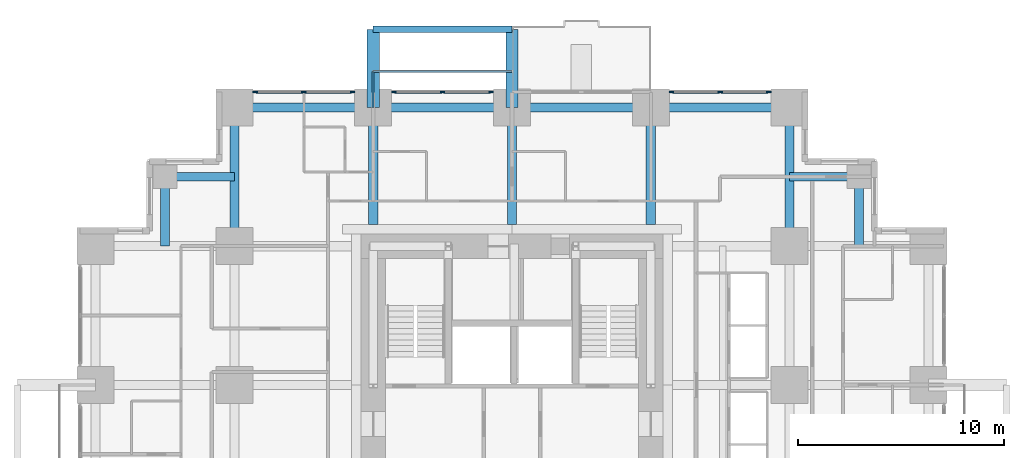
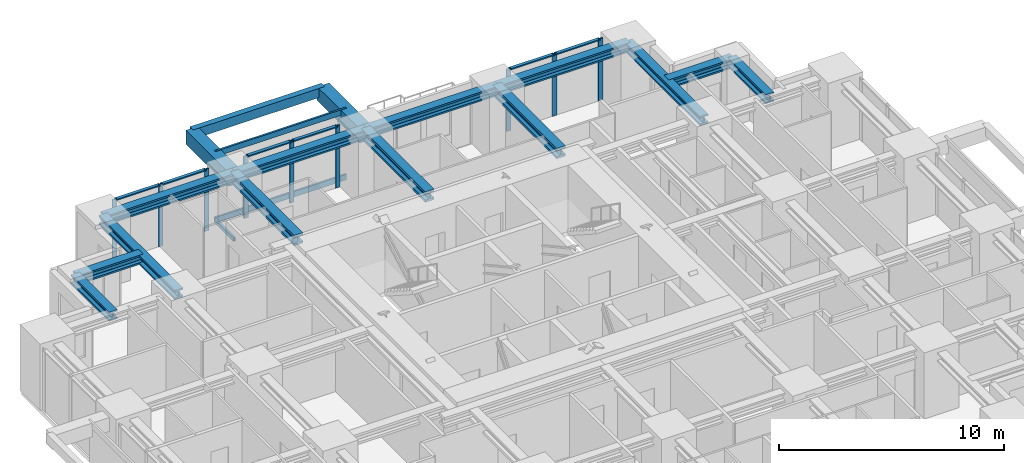
# One storey, part 5 of 12: 18 members, 16 beams, 3 elements without a shape of their own.
"""IFC4 building model written with IfcOpenShell, lengths in metres."""

from ifc_helpers import new_model, si_unit, direction, frame, origin, origin_2d, place, context, subcontext, project, spatial, rectangle, hollow_rectangle, i_section, extrude, material, material_profile, profile_set, type_object, element, aggregate, save


model = new_model("IFC4")

# Units and contexts
model_context = context("Model", 3, precision=1e-05, world=origin(), true_north=direction((0.0, 1.0)))
body_context = subcontext(model_context, "Body", "Model", "MODEL_VIEW")
ifc_project = project(units=[si_unit("LENGTHUNIT", "METRE"), si_unit("AREAUNIT", "SQUARE_METRE"), si_unit("VOLUMEUNIT", "CUBIC_METRE"), si_unit("PLANEANGLEUNIT", "RADIAN"), si_unit("MASSUNIT", "GRAM", prefix="KILO")], contexts=[model_context])

# Site, building, storey
site_placement = place(None, origin())
site = spatial("IfcSite", under=ifc_project, at=site_placement, CompositionType="ELEMENT")
building_placement = place(site_placement, origin())
building = spatial("IfcBuilding", under=site, at=building_placement, Name="Nyansa Garden Tower", CompositionType="ELEMENT")
storey_placement = place(building_placement, frame((0.0, 0.0, 90.89990234375)))
storey = spatial("IfcBuildingStorey", under=building, at=storey_placement, Name="L24", CompositionType="ELEMENT", Elevation=90.89990234375)

# Beams
ifc_material_1 = material(Name="Concrete C70/85", Category="concrete")
ifc_material_profile_1 = material_profile(ifc_material_1, rectangle(XDim=0.60009765625, YDim=0.75, at=origin_2d()), Name="RC 600x750")
ifc_profile_set_1 = profile_set([ifc_material_profile_1], Name="Concrete C70/85")
beam_type_1 = type_object("IfcBeamType", Name="Balcony cantilever beam CB1 RC 600x750", PredefinedType="BEAM", material=ifc_profile_set_1)
for number, where, z_axis, x_axis, name in (
    (1, (13.5, 33.75, 2.985107421875), (0.0, 1.0, 0.0), (-1.0, 0.0, 0.0), "Balcony cantilever beam L25"),
    (2, (20.25, 33.75, 2.985107421875), (0.0, 1.0, 0.0), (-1.0, 0.0, 0.0), "Balcony cantilever beam L25"),
):
    element("IfcBeam", number, at=place(storey_placement, frame(where, z_axis=z_axis, x_axis=x_axis)), inside=storey, type_object=beam_type_1, Name=name, PredefinedType="BEAM", context=body_context, shape_type="SweptSolid", body=[
        extrude(rectangle(XDim=0.60009765625, YDim=0.75, at=origin_2d()), origin(), (0.0, 0.0, 1.0), 3.800048828125),
    ])
ifc_material_2 = material(Name="Concrete C70/85", Category="concrete")
ifc_material_profile_2 = material_profile(ifc_material_2, rectangle(XDim=0.300048828125, YDim=0.5, at=origin_2d()), Name="RC 300x500")
ifc_profile_set_2 = profile_set([ifc_material_profile_2], Name="Concrete C70/85")
beam_type_2 = type_object("IfcBeamType", Name="Balcony edge beam BE1 RC 300x500", PredefinedType="BEAM", material=ifc_profile_set_2)
beam_placement = place(storey_placement, frame((13.5, 37.550048828125, 3.110107421875), z_axis=(1.0, 0.0, 0.0), x_axis=(0.0, 1.0, 0.0)))
element("IfcBeam", 3, at=beam_placement, inside=storey, type_object=beam_type_2, Name="Balcony edge beam L25", PredefinedType="BEAM", context=body_context, shape_type="SweptSolid", body=[
    extrude(rectangle(XDim=0.300048828125, YDim=0.5, at=origin_2d()), origin(), (0.0, 0.0, 1.0), 6.75),
])

# Curtain wall, members
ifc_material_3 = material(Name="Black anodised aluminium, dark tinted double glazing", Category="aluminium")
curtain_wall_type = type_object("IfcCurtainWallType", Name="Inner skin curtain wall ISW-B", PredefinedType="USERDEFINED", material=ifc_material_3)
curtain_wall_1_placement = place(storey_placement, origin())
curtain_wall_1 = element("IfcCurtainWall", 4, at=curtain_wall_1_placement, inside=storey, type_object=curtain_wall_type, Name="Inner skin curtain wall L24 N", ObjectType="UNITISED CURTAIN WALL", PredefinedType="USERDEFINED")
ifc_material_4 = material(Name="Black anodised aluminium", Category="aluminium")
ifc_material_profile_3 = material_profile(ifc_material_4, rectangle(XDim=0.06494140625, YDim=0.22509765625, at=origin_2d()), Name="Mullion 225x65")
ifc_profile_set_3 = profile_set([ifc_material_profile_3], Name="Black anodised aluminium")
member_type_1 = type_object("IfcMemberType", Name="Mullion ISW-B 225x65", PredefinedType="MULLION", material=ifc_profile_set_3)
member_1_placement = place(storey_placement, frame((19.237548828125, 34.5, 0.0), z_axis=(0.0, 0.0, 1.0), x_axis=(0.0, -1.0, 0.0)))
member_1 = element("IfcMember", 5, at=member_1_placement, type_object=member_type_1, Name="ISW-B mullion 1", PredefinedType="MULLION", context=body_context, shape_type="SweptSolid", body=[
    extrude(rectangle(XDim=0.06494140625, YDim=0.22509765625, at=origin_2d()), origin(), (0.0, 0.0, 1.0), 3.375),
])
member_2_placement = place(storey_placement, frame((16.875, 34.5, 0.0), z_axis=(0.0, 0.0, 1.0), x_axis=(0.0, -1.0, 0.0)))
member_2 = element("IfcMember", 6, at=member_2_placement, type_object=member_type_1, Name="ISW-B mullion 2", PredefinedType="MULLION", context=body_context, shape_type="SweptSolid", body=[
    extrude(rectangle(XDim=0.06494140625, YDim=0.22509765625, at=origin_2d()), origin(), (0.0, 0.0, 1.0), 3.375),
])
member_3_placement = place(storey_placement, frame((14.512451171875, 34.5, 0.0), z_axis=(0.0, 0.0, 1.0), x_axis=(0.0, -1.0, 0.0)))
member_3 = element("IfcMember", 7, at=member_3_placement, type_object=member_type_1, Name="ISW-B mullion 3", PredefinedType="MULLION", context=body_context, shape_type="SweptSolid", body=[
    extrude(rectangle(XDim=0.06494140625, YDim=0.22509765625, at=origin_2d()), origin(), (0.0, 0.0, 1.0), 3.375),
])

curtain_wall_2_placement = place(storey_placement, origin())
curtain_wall_2 = element("IfcCurtainWall", 8, at=curtain_wall_2_placement, inside=storey, type_object=curtain_wall_type, Name="Inner skin curtain wall L24 N", ObjectType="UNITISED CURTAIN WALL", PredefinedType="USERDEFINED")
member_4_placement = place(storey_placement, frame((12.487548828125, 34.5, 0.0), z_axis=(0.0, 0.0, 1.0), x_axis=(0.0, -1.0, 0.0)))
member_4 = element("IfcMember", 9, at=member_4_placement, type_object=member_type_1, Name="ISW-B mullion 1", PredefinedType="MULLION", context=body_context, shape_type="SweptSolid", body=[
    extrude(rectangle(XDim=0.06494140625, YDim=0.22509765625, at=origin_2d()), origin(), (0.0, 0.0, 1.0), 3.375),
])
member_5_placement = place(storey_placement, frame((10.125, 34.5, 0.0), z_axis=(0.0, 0.0, 1.0), x_axis=(0.0, -1.0, 0.0)))
member_5 = element("IfcMember", 10, at=member_5_placement, type_object=member_type_1, Name="ISW-B mullion 2", PredefinedType="MULLION", context=body_context, shape_type="SweptSolid", body=[
    extrude(rectangle(XDim=0.06494140625, YDim=0.22509765625, at=origin_2d()), origin(), (0.0, 0.0, 1.0), 3.375),
])
member_6_placement = place(storey_placement, frame((7.762451171875, 34.5, 0.0), z_axis=(0.0, 0.0, 1.0), x_axis=(0.0, -1.0, 0.0)))
member_6 = element("IfcMember", 11, at=member_6_placement, type_object=member_type_1, Name="ISW-B mullion 3", PredefinedType="MULLION", context=body_context, shape_type="SweptSolid", body=[
    extrude(rectangle(XDim=0.06494140625, YDim=0.22509765625, at=origin_2d()), origin(), (0.0, 0.0, 1.0), 3.375),
])

curtain_wall_3_placement = place(storey_placement, origin())
curtain_wall_3 = element("IfcCurtainWall", 12, at=curtain_wall_3_placement, inside=storey, type_object=curtain_wall_type, Name="Inner skin curtain wall L24 N", ObjectType="UNITISED CURTAIN WALL", PredefinedType="USERDEFINED")
member_7_placement = place(storey_placement, frame((32.737548828125, 34.5, 0.0), z_axis=(0.0, 0.0, 1.0), x_axis=(0.0, -1.0, 0.0)))
member_7 = element("IfcMember", 13, at=member_7_placement, type_object=member_type_1, Name="ISW-B mullion 1", PredefinedType="MULLION", context=body_context, shape_type="SweptSolid", body=[
    extrude(rectangle(XDim=0.06494140625, YDim=0.22509765625, at=origin_2d()), origin(), (0.0, 0.0, 1.0), 3.375),
])
member_8_placement = place(storey_placement, frame((30.375, 34.5, 0.0), z_axis=(0.0, 0.0, 1.0), x_axis=(0.0, -1.0, 0.0)))
member_8 = element("IfcMember", 14, at=member_8_placement, type_object=member_type_1, Name="ISW-B mullion 2", PredefinedType="MULLION", context=body_context, shape_type="SweptSolid", body=[
    extrude(rectangle(XDim=0.06494140625, YDim=0.22509765625, at=origin_2d()), origin(), (0.0, 0.0, 1.0), 3.375),
])
member_9_placement = place(storey_placement, frame((28.012451171875, 34.5, 0.0), z_axis=(0.0, 0.0, 1.0), x_axis=(0.0, -1.0, 0.0)))
member_9 = element("IfcMember", 15, at=member_9_placement, type_object=member_type_1, Name="ISW-B mullion 3", PredefinedType="MULLION", context=body_context, shape_type="SweptSolid", body=[
    extrude(rectangle(XDim=0.06494140625, YDim=0.22509765625, at=origin_2d()), origin(), (0.0, 0.0, 1.0), 3.375),
])

# Members
ifc_material_5 = material(Name="Steel S355, black powder coated", Category="steel")
ifc_material_profile_4 = material_profile(ifc_material_5, hollow_rectangle(XDim=0.10009765625, YDim=0.199951171875, WallThickness=0.008056640625, at=origin_2d()), Name="RHS 200x100x8")
ifc_profile_set_4 = profile_set([ifc_material_profile_4], Name="Steel S355, black powder coated")
member_type_2 = type_object("IfcMemberType", Name="Outer skin bracket arm RHS 200x100x8", PredefinedType="USERDEFINED", material=ifc_profile_set_4)
member_10_placement = place(storey_placement, frame((13.5, 33.75, -0.375), z_axis=(0.0, 1.0, 0.0), x_axis=(-1.0, 0.0, 0.0)))
element("IfcMember", 16, at=member_10_placement, inside=storey, type_object=member_type_2, Name="Outer skin bracket arm", ObjectType="OUTER SKIN BRACKET", PredefinedType="USERDEFINED", context=body_context, shape_type="SweptSolid", body=[
    extrude(hollow_rectangle(XDim=0.10009765625, YDim=0.199951171875, WallThickness=0.008056640625, at=origin_2d()), origin(), (0.0, 0.0, 1.0), 1.75),
])
ifc_material_6 = material(Name="Steel S355, black powder coated", Category="steel")
ifc_material_profile_5 = material_profile(ifc_material_6, hollow_rectangle(XDim=0.10009765625, YDim=0.300048828125, WallThickness=0.010009765625, at=origin_2d()), Name="RHS 300x100x10")
ifc_profile_set_5 = profile_set([ifc_material_profile_5], Name="Steel S355, black powder coated")
member_type_3 = type_object("IfcMemberType", Name="Outer skin rail RHS 300x100x10", PredefinedType="USERDEFINED", material=ifc_profile_set_5)
for number, where, z_axis, x_axis, name in (
    (17, (13.5, 35.5, -0.375), (1.0, 0.0, 0.0), (0.0, 1.0, 0.0), "Outer skin rail L24"),
    (18, (13.5, 35.5, 3.22509765625), (1.0, 0.0, 0.0), (0.0, 1.0, 0.0), "Outer skin rail L24 head"),
):
    element("IfcMember", number, at=place(storey_placement, frame(where, z_axis=z_axis, x_axis=x_axis)), inside=storey, type_object=member_type_3, Name=name, ObjectType="OUTER SKIN RAIL", PredefinedType="USERDEFINED", context=body_context, shape_type="SweptSolid", body=[
        extrude(hollow_rectangle(XDim=0.10009765625, YDim=0.300048828125, WallThickness=0.010009765625, at=origin_2d()), origin(), (0.0, 0.0, 1.0), 6.75),
    ])

# Beams
ifc_material_7 = material(Name="Steel S355", Category="steel")
ifc_material_profile_6 = material_profile(ifc_material_7, i_section(OverallWidth=0.431884765625, OverallDepth=0.498046875, WebThickness=0.0556640625, FlangeThickness=0.0888671875, FilletRadius=0.014892578125, at=origin_2d()), Name="HD 400x744")
ifc_profile_set_6 = profile_set([ifc_material_profile_6], Name="Steel S355")
beam_type_3 = type_object("IfcBeamType", Name="Steel beam SBB1-744 HD 400x744", PredefinedType="BEAM", material=ifc_profile_set_6)
for number, where, z_axis, x_axis, name in (
    (19, (6.75, 27.0, 3.1259765625), (0.0, 1.0, 0.0), (-1.0, 0.0, 0.0), "Steel beam 3/H-3/J L25"),
    (20, (33.75, 27.0, 3.1259765625), (0.0, 1.0, 0.0), (-1.0, 0.0, 0.0), "Steel beam 7/H-7/J L25"),
):
    element("IfcBeam", number, at=place(storey_placement, frame(where, z_axis=z_axis, x_axis=x_axis)), inside=storey, type_object=beam_type_3, Name=name, PredefinedType="BEAM", context=body_context, shape_type="SweptSolid", body=[
        extrude(i_section(OverallWidth=0.431884765625, OverallDepth=0.498046875, WebThickness=0.0556640625, FlangeThickness=0.0888671875, FilletRadius=0.014892578125, at=origin_2d()), origin(), (0.0, 0.0, 1.0), 6.75),
    ])
ifc_material_8 = material(Name="Steel S355", Category="steel")
ifc_material_profile_7 = material_profile(ifc_material_8, i_section(OverallWidth=0.4541015625, OverallDepth=0.569091796875, WebThickness=0.077880859375, FlangeThickness=0.125, FilletRadius=0.014892578125, at=origin_2d()), Name="HD 400x1086")
ifc_profile_set_7 = profile_set([ifc_material_profile_7], Name="Steel S355")
beam_type_4 = type_object("IfcBeamType", Name="Steel beam SCL-1086 HD 400x1086", PredefinedType="BEAM", material=ifc_profile_set_7)
for number, where, z_axis, x_axis, name in (
    (21, (13.5, 28.050048828125, 3.090576171875), (0.0, 1.0, 0.0), (-1.0, 0.0, 0.0), "Steel beam 4/28.050-4/J L25"),
    (22, (20.25, 28.050048828125, 3.090576171875), (0.0, 1.0, 0.0), (-1.0, 0.0, 0.0), "Steel beam 5/28.050-5/J L25"),
    (23, (27.0, 28.050048828125, 3.090576171875), (0.0, 1.0, 0.0), (-1.0, 0.0, 0.0), "Steel beam 6/28.050-6/J L25"),
):
    element("IfcBeam", number, at=place(storey_placement, frame(where, z_axis=z_axis, x_axis=x_axis)), inside=storey, type_object=beam_type_4, Name=name, PredefinedType="BEAM", context=body_context, shape_type="SweptSolid", body=[
        extrude(i_section(OverallWidth=0.4541015625, OverallDepth=0.569091796875, WebThickness=0.077880859375, FlangeThickness=0.125, FilletRadius=0.014892578125, at=origin_2d()), origin(), (0.0, 0.0, 1.0), 5.699951171875),
    ])
ifc_material_9 = material(Name="Steel S355", Category="steel")
ifc_material_profile_8 = material_profile(ifc_material_9, i_section(OverallWidth=0.431884765625, OverallDepth=0.498046875, WebThickness=0.0556640625, FlangeThickness=0.0888671875, FilletRadius=0.014892578125, at=origin_2d()), Name="HD 400x744")
ifc_profile_set_8 = profile_set([ifc_material_profile_8], Name="Steel S355")
beam_type_5 = type_object("IfcBeamType", Name="Steel beam SEBB-744 HD 400x744", PredefinedType="BEAM", material=ifc_profile_set_8)
for number, where, z_axis, x_axis, name in (
    (24, (6.75, 33.75, 3.1259765625), (1.0, 0.0, 0.0), (0.0, 1.0, 0.0), "Steel edge beam 3/J-4/J L25"),
    (25, (13.5, 33.75, 3.1259765625), (1.0, 0.0, 0.0), (0.0, 1.0, 0.0), "Steel edge beam 4/J-5/J L25"),
    (26, (20.25, 33.75, 3.1259765625), (1.0, 0.0, 0.0), (0.0, 1.0, 0.0), "Steel edge beam 5/J-6/J L25"),
    (27, (27.0, 33.75, 3.1259765625), (1.0, 0.0, 0.0), (0.0, 1.0, 0.0), "Steel edge beam 6/J-7/J L25"),
):
    element("IfcBeam", number, at=place(storey_placement, frame(where, z_axis=z_axis, x_axis=x_axis)), inside=storey, type_object=beam_type_5, Name=name, PredefinedType="BEAM", context=body_context, shape_type="SweptSolid", body=[
        extrude(i_section(OverallWidth=0.431884765625, OverallDepth=0.498046875, WebThickness=0.0556640625, FlangeThickness=0.0888671875, FilletRadius=0.014892578125, at=origin_2d()), origin(), (0.0, 0.0, 1.0), 6.75),
    ])
ifc_material_10 = material(Name="Steel S355", Category="steel")
ifc_material_profile_9 = material_profile(ifc_material_10, i_section(OverallWidth=0.431884765625, OverallDepth=0.498046875, WebThickness=0.0556640625, FlangeThickness=0.0888671875, FilletRadius=0.014892578125, at=origin_2d()), Name="HD 400x744")
ifc_profile_set_9 = profile_set([ifc_material_profile_9], Name="Steel S355")
beam_type_6 = type_object("IfcBeamType", Name="Steel beam SSB1-744 HD 400x744", PredefinedType="BEAM", material=ifc_profile_set_9)
for number, where, z_axis, x_axis, name in (
    (28, (37.125, 30.375, 3.1259765625), (0.0, -1.0, 0.0), (1.0, 0.0, 0.0), "Steel step beam 37.125/30.375 L25"),
    (29, (37.125, 30.375, 3.1259765625), (-1.0, 0.0, 0.0), (0.0, -1.0, 0.0), "Steel step beam 37.125/30.375 L25"),
    (30, (3.375, 30.375, 3.1259765625), (0.0, -1.0, 0.0), (1.0, 0.0, 0.0), "Steel step beam 3.375/30.375 L25"),
    (31, (3.375, 30.375, 3.1259765625), (1.0, 0.0, 0.0), (0.0, 1.0, 0.0), "Steel step beam 3.375/30.375 L25"),
):
    element("IfcBeam", number, at=place(storey_placement, frame(where, z_axis=z_axis, x_axis=x_axis)), inside=storey, type_object=beam_type_6, Name=name, PredefinedType="BEAM", context=body_context, shape_type="SweptSolid", body=[
        extrude(i_section(OverallWidth=0.431884765625, OverallDepth=0.498046875, WebThickness=0.0556640625, FlangeThickness=0.0888671875, FilletRadius=0.014892578125, at=origin_2d()), origin(), (0.0, 0.0, 1.0), 3.375),
    ])

# Member
ifc_material_11 = material(Name="Black anodised aluminium", Category="aluminium")
ifc_material_profile_10 = material_profile(ifc_material_11, rectangle(XDim=0.1650390625, YDim=0.06494140625, at=origin_2d()), Name="Transom 165x65")
ifc_profile_set_10 = profile_set([ifc_material_profile_10], Name="Black anodised aluminium")
member_type_4 = type_object("IfcMemberType", Name="Transom ISW-B 165x65", PredefinedType="USERDEFINED", material=ifc_profile_set_10)
member_11_placement = place(storey_placement, frame((19.205078125, 34.5, 3.342529296875), z_axis=(-1.0, 0.0, 0.0), x_axis=(0.0, -1.0, 0.0)))
member_11 = element("IfcMember", 32, at=member_11_placement, type_object=member_type_4, Name="ISW-B transom 1", ObjectType="TRANSOM", PredefinedType="USERDEFINED", context=body_context, shape_type="SweptSolid", body=[
    extrude(rectangle(XDim=0.1650390625, YDim=0.06494140625, at=origin_2d()), origin(), (0.0, 0.0, 1.0), 2.297607421875),
])

member_12_placement = place(storey_placement, frame((16.842529296875, 34.5, 3.342529296875), z_axis=(-1.0, 0.0, 0.0), x_axis=(0.0, -1.0, 0.0)))
member_12 = element("IfcMember", 33, at=member_12_placement, type_object=member_type_4, Name="ISW-B transom 2", ObjectType="TRANSOM", PredefinedType="USERDEFINED", context=body_context, shape_type="SweptSolid", body=[
    extrude(rectangle(XDim=0.1650390625, YDim=0.06494140625, at=origin_2d()), origin(), (0.0, 0.0, 1.0), 2.297607421875),
])

aggregate(curtain_wall_1, [member_1, member_2, member_3, member_11, member_12])

member_13_placement = place(storey_placement, frame((12.455078125, 34.5, 3.342529296875), z_axis=(-1.0, 0.0, 0.0), x_axis=(0.0, -1.0, 0.0)))
member_13 = element("IfcMember", 34, at=member_13_placement, type_object=member_type_4, Name="ISW-B transom 1", ObjectType="TRANSOM", PredefinedType="USERDEFINED", context=body_context, shape_type="SweptSolid", body=[
    extrude(rectangle(XDim=0.1650390625, YDim=0.06494140625, at=origin_2d()), origin(), (0.0, 0.0, 1.0), 2.297607421875),
])

member_14_placement = place(storey_placement, frame((10.092529296875, 34.5, 3.342529296875), z_axis=(-1.0, 0.0, 0.0), x_axis=(0.0, -1.0, 0.0)))
member_14 = element("IfcMember", 35, at=member_14_placement, type_object=member_type_4, Name="ISW-B transom 2", ObjectType="TRANSOM", PredefinedType="USERDEFINED", context=body_context, shape_type="SweptSolid", body=[
    extrude(rectangle(XDim=0.1650390625, YDim=0.06494140625, at=origin_2d()), origin(), (0.0, 0.0, 1.0), 2.297607421875),
])

aggregate(curtain_wall_2, [member_4, member_5, member_6, member_13, member_14])

member_15_placement = place(storey_placement, frame((32.705078125, 34.5, 3.342529296875), z_axis=(-1.0, 0.0, 0.0), x_axis=(0.0, -1.0, 0.0)))
member_15 = element("IfcMember", 36, at=member_15_placement, type_object=member_type_4, Name="ISW-B transom 1", ObjectType="TRANSOM", PredefinedType="USERDEFINED", context=body_context, shape_type="SweptSolid", body=[
    extrude(rectangle(XDim=0.1650390625, YDim=0.06494140625, at=origin_2d()), origin(), (0.0, 0.0, 1.0), 2.297607421875),
])

member_16_placement = place(storey_placement, frame((30.342529296875, 34.5, 3.342529296875), z_axis=(-1.0, 0.0, 0.0), x_axis=(0.0, -1.0, 0.0)))
member_16 = element("IfcMember", 37, at=member_16_placement, type_object=member_type_4, Name="ISW-B transom 2", ObjectType="TRANSOM", PredefinedType="USERDEFINED", context=body_context, shape_type="SweptSolid", body=[
    extrude(rectangle(XDim=0.1650390625, YDim=0.06494140625, at=origin_2d()), origin(), (0.0, 0.0, 1.0), 2.297607421875),
])

aggregate(curtain_wall_3, [member_7, member_8, member_9, member_15, member_16])

save(model, "model.ifc")
